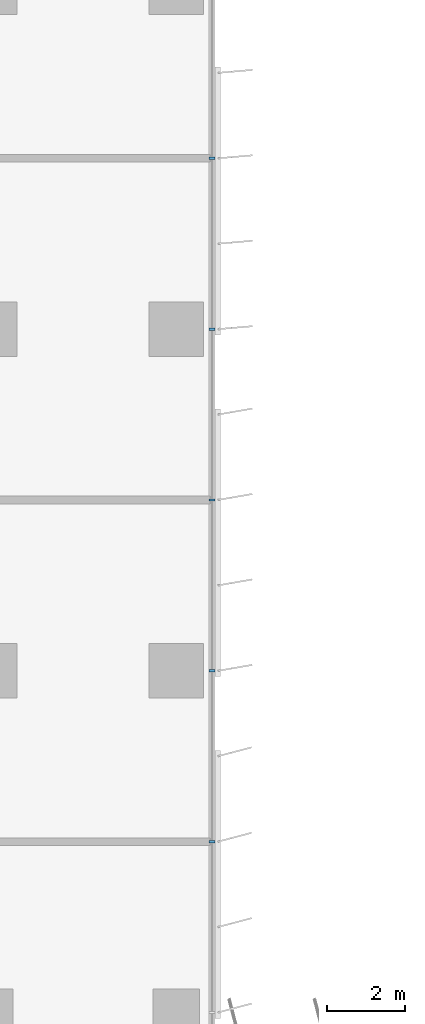
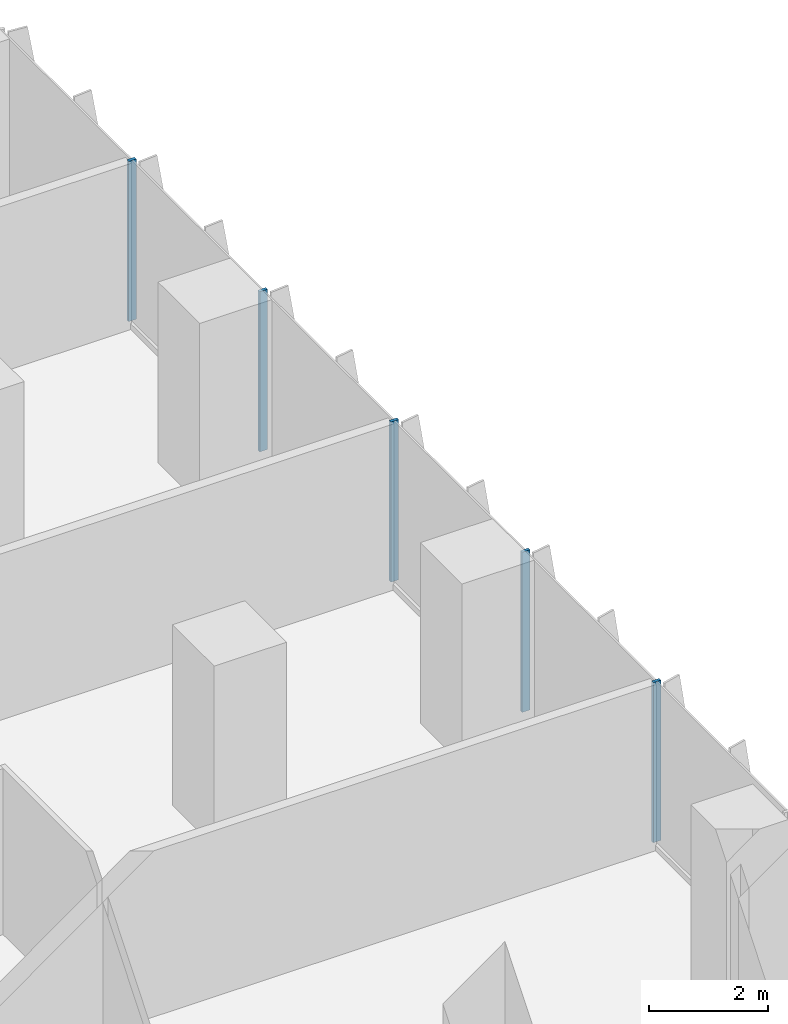
# One storey, part 5 of 24: 5 members, 1 element without a shape of its own.
"""IFC4 building model written with IfcOpenShell, lengths in metres."""

import ifcopenshell
import ifcopenshell.guid

model = None  # the IFC model being written
_history = None  # IfcOwnerHistory: only IFC2X3 demands one
_inside = {}  # id of a spatial element -> (the spatial element, [elements in it])
_under = {}  # id of a project, library or spatial element -> (it, [spatial elements below it])
_declared = {}  # id of a project -> (the project, [libraries it declares])
_typed = {}  # id of a type object -> (the type object, [elements of that type])
_made_of = {}  # id of a material, layer set ... -> (it, [elements and type objects made of it])


def new_model(schema):
    """Start an empty IFC model of exactly this schema.

    Asked for "IFC4X3", IfcOpenShell would pick the latest addendum, in which some entities
    have other attributes; the version numbers below select the first issue.
    IFC2X3 requires an IfcOwnerHistory on every rooted entity: one is made here for all.
    """
    global model, _history
    if schema == "IFC4X3":
        model = ifcopenshell.file(schema_version=(4, 3, 0, 0))
    else:
        model = ifcopenshell.file(schema=schema)
    _inside.clear()
    _under.clear()
    _declared.clear()
    _typed.clear()
    _made_of.clear()
    _history = None
    if model.schema == "IFC2X3":
        org = make("IfcOrganization", Name="unknown")
        user = make(
            "IfcPersonAndOrganization",
            ThePerson=make("IfcPerson", FamilyName="unknown"),
            TheOrganization=org,
        )
        app = make(
            "IfcApplication",
            ApplicationDeveloper=org,
            Version="unknown",
            ApplicationFullName="unknown",
            ApplicationIdentifier="unknown",
        )
        _history = make(
            "IfcOwnerHistory",
            OwningUser=user,
            OwningApplication=app,
            ChangeAction="ADDED",
            CreationDate=0,
        )
    return model


def make(cls, **values):
    """One entity of the class cls with the attributes given. An attribute that is None is left unset."""
    return model.create_entity(
        cls, **{name: value for name, value in values.items() if value is not None}
    )


def rooted(cls, **values):
    """An entity with a GlobalId (a new one), such as an element, a storey or a relation."""
    return make(cls, GlobalId=ifcopenshell.guid.new(), OwnerHistory=_history, **values)


def si_unit(unit_type, name, prefix=None):
    """IfcSIUnit, for example si_unit("LENGTHUNIT", "METRE", prefix="MILLI")."""
    return make("IfcSIUnit", UnitType=unit_type, Prefix=prefix, Name=name)


def assignment(units):
    """IfcUnitAssignment: the units of a project."""
    return None if units is None else make("IfcUnitAssignment", Units=units)


def point(xyz):
    """IfcCartesianPoint."""
    return None if xyz is None else make("IfcCartesianPoint", Coordinates=xyz)


def direction(xyz):
    """IfcDirection."""
    return None if xyz is None else make("IfcDirection", DirectionRatios=xyz)


def frame(location, z_axis=None, x_axis=None):
    """IfcAxis2Placement3D, a coordinate frame: its origin and axes. An axis left out is left unset."""
    return make(
        "IfcAxis2Placement3D",
        Location=point(location),
        Axis=direction(z_axis),
        RefDirection=direction(x_axis),
    )


def frame_2d(location, x_axis=None):
    """IfcAxis2Placement2D, a coordinate frame in the plane: its origin and x axis."""
    return make(
        "IfcAxis2Placement2D", Location=point(location), RefDirection=direction(x_axis)
    )


def origin():
    """The frame at (0, 0, 0) with its axes left unset."""
    return frame((0.0, 0.0, 0.0))


def origin_2d():
    """The frame at (0, 0) in the plane with its x axis left unset."""
    return frame_2d((0.0, 0.0))


def place(relative_to, where):
    """IfcLocalPlacement: puts the frame where relative to a parent placement (None: the world)."""
    return make(
        "IfcLocalPlacement", PlacementRelTo=relative_to, RelativePlacement=where
    )


def context(
    kind, dimensions, precision=None, world=None, true_north=None, identifier=None
):
    """IfcGeometricRepresentationContext, for example the 3D "Model" context."""
    return make(
        "IfcGeometricRepresentationContext",
        ContextIdentifier=identifier,
        ContextType=kind,
        CoordinateSpaceDimension=dimensions,
        Precision=precision,
        WorldCoordinateSystem=world,
        TrueNorth=true_north,
    )


def subcontext(parent, identifier, kind, view, scale=None):
    """IfcGeometricRepresentationSubContext, for example "Body" below "Model"."""
    return make(
        "IfcGeometricRepresentationSubContext",
        ContextIdentifier=identifier,
        ContextType=kind,
        ParentContext=parent,
        TargetScale=scale,
        TargetView=view,
    )


def project(units=None, contexts=None):
    """IfcProject with its units and contexts."""
    return rooted(
        "IfcProject",
        Name="project",
        RepresentationContexts=contexts,
        UnitsInContext=assignment(units),
    )


def spatial(cls, under=None, at=None, **own):
    """A site, building, storey or space (cls), placed at a placement, below another one or the project."""
    s = rooted(cls, ObjectPlacement=at, **own)
    if under is not None:
        _under.setdefault(under.id(), (under, []))[1].append(s)
    return s


def profile(cls, at=None, kind="AREA", **sizes):
    """A parametric profile (cls). Its sizes go by their IFC names, for example OverallWidth=200.0."""
    return make(cls, ProfileType=kind, Position=at, **sizes)


def rectangle(**sizes):
    """IfcRectangleProfileDef."""
    return profile("IfcRectangleProfileDef", **sizes)


def extrude(swept, where, along, depth):
    """IfcExtrudedAreaSolid: the profile swept, set in the frame where, extruded along a direction by depth."""
    return make(
        "IfcExtrudedAreaSolid",
        SweptArea=swept,
        Position=where,
        ExtrudedDirection=direction(along),
        Depth=depth,
    )


def shape(context_of_items, identifier, shape_type, items):
    """IfcShapeRepresentation: the items that make up one representation, for example the "Body"."""
    return make(
        "IfcShapeRepresentation",
        ContextOfItems=context_of_items,
        RepresentationIdentifier=identifier,
        RepresentationType=shape_type,
        Items=items,
    )


def source(mapping_origin, context_of_items, identifier, shape_type, items):
    """IfcRepresentationMap: a shape defined once, which mapped items show again and again."""
    return make(
        "IfcRepresentationMap",
        MappingOrigin=mapping_origin,
        MappedRepresentation=shape(context_of_items, identifier, shape_type, items),
    )


def transform(
    local_origin,
    x_axis=None,
    y_axis=None,
    z_axis=None,
    scale=None,
    scale2=None,
    scale3=None,
    uniform=True,
):
    """IfcCartesianTransformationOperator3D, or its non-uniform kind. x_axis, y_axis, z_axis: its Axis1, 2, 3."""
    if uniform:
        return make(
            "IfcCartesianTransformationOperator3D",
            Axis1=direction(x_axis),
            Axis2=direction(y_axis),
            LocalOrigin=point(local_origin),
            Scale=scale,
            Axis3=direction(z_axis),
        )
    return make(
        "IfcCartesianTransformationOperator3DnonUniform",
        Axis1=direction(x_axis),
        Axis2=direction(y_axis),
        LocalOrigin=point(local_origin),
        Scale=scale,
        Axis3=direction(z_axis),
        Scale2=scale2,
        Scale3=scale3,
    )


def mapped(mapping_source, mapping_target):
    """IfcMappedItem: shows the shape of a source again, moved by a transform."""
    return make(
        "IfcMappedItem", MappingSource=mapping_source, MappingTarget=mapping_target
    )


def material(Name=None, Category=None):
    """IfcMaterial."""
    return make("IfcMaterial", Name=Name, Category=Category)


def material_profile(
    of_material, cross_section, Name=None, Category=None, Priority=None
):
    """IfcMaterialProfile: a cross section and its material."""
    return make(
        "IfcMaterialProfile",
        Name=Name,
        Material=of_material,
        Profile=cross_section,
        Priority=Priority,
        Category=Category,
    )


def profile_set(profiles, Name=None, composite=None):
    """IfcMaterialProfileSet."""
    return make(
        "IfcMaterialProfileSet",
        Name=Name,
        MaterialProfiles=profiles,
        CompositeProfile=composite,
    )


def made_of(thing, what):
    """Note that an element or type object is made of a material, layer set ...; save() writes the relation."""
    if what is not None:
        _made_of.setdefault(what.id(), (what, []))[1].append(thing)
    return thing


def type_object(cls, material=None, **own):
    """A type object (cls), such as IfcWallType, which elements share."""
    return made_of(rooted(cls, **own), material)


def element(
    cls,
    number,
    at=None,
    inside=None,
    cuts=None,
    type_object=None,
    material=None,
    context=None,
    identifier="Body",
    shape_type=None,
    held_by="IfcProductDefinitionShape",
    body=None,
    shapes=None,
    **own,
):
    """One element of the class cls, such as IfcWall. Its Tag is "e" and its number.

    at: its placement. inside: the storey or other place that contains it. cuts: it is an
    opening in that element (IfcRelVoidsElement). A single representation is given by context,
    identifier, shape_type and body (its items); several are given by shapes. held_by: the class
    of the entity that holds the representations. save() writes the other relations.
    """
    e = rooted(cls, Tag="e%d" % number, ObjectPlacement=at, **own)
    if body is not None:
        shapes = [shape(context, identifier, shape_type, body)]
    if shapes is not None:
        e.Representation = make(held_by, Representations=shapes)
    if inside is not None:
        _inside.setdefault(inside.id(), (inside, []))[1].append(e)
    if cuts is not None:
        rooted(
            "IfcRelVoidsElement", RelatingBuildingElement=cuts, RelatedOpeningElement=e
        )
    if type_object is not None:
        _typed.setdefault(type_object.id(), (type_object, []))[1].append(e)
    return made_of(e, material)


def aggregate(whole, parts):
    """IfcRelAggregates: a whole, such as a stair, and the parts it consists of."""
    return rooted("IfcRelAggregates", RelatingObject=whole, RelatedObjects=parts)


def save(model, path):
    """Write the relations noted so far, then the file.

    IfcRelAggregates (storeys below a building ...), IfcRelContainedInSpatialStructure (elements
    in a storey), IfcRelDefinesByType, IfcRelAssociatesMaterial and IfcRelDeclares: one each for
    every whole, place, type object, material and project.
    """
    for whole, parts in _under.values():
        aggregate(whole, parts)
    for where, things in _inside.values():
        rooted(
            "IfcRelContainedInSpatialStructure",
            RelatedElements=things,
            RelatingStructure=where,
        )
    for kind, things in _typed.values():
        rooted("IfcRelDefinesByType", RelatedObjects=things, RelatingType=kind)
    for what, things in _made_of.values():
        rooted("IfcRelAssociatesMaterial", RelatedObjects=things, RelatingMaterial=what)
    for by, libraries in _declared.values():
        rooted("IfcRelDeclares", RelatingContext=by, RelatedDefinitions=libraries)
    model.write(path)


model = new_model("IFC4")

# Units and contexts
model_context = context("Model", 3, precision=1e-05, world=origin(), true_north=direction((0.0, 1.0)))
body_context = subcontext(model_context, "Body", "Model", "MODEL_VIEW")
ifc_project = project(units=[si_unit("LENGTHUNIT", "METRE"), si_unit("AREAUNIT", "SQUARE_METRE"), si_unit("VOLUMEUNIT", "CUBIC_METRE"), si_unit("PLANEANGLEUNIT", "RADIAN"), si_unit("MASSUNIT", "GRAM", prefix="KILO")], contexts=[model_context])

# Site, building, storey
site_placement = place(None, origin())
site = spatial("IfcSite", under=ifc_project, at=site_placement, CompositionType="ELEMENT")
building_placement = place(site_placement, origin())
building = spatial("IfcBuilding", under=site, at=building_placement, Name="Kemantara Hotel Tower", CompositionType="ELEMENT")
storey_placement = place(building_placement, frame((0.0, 0.0, 52.5)))
storey = spatial("IfcBuildingStorey", under=building, at=storey_placement, Name="L11", CompositionType="ELEMENT", Elevation=52.5)

# Curtain wall, members
ifc_material_1 = material(Name="Low-E tinted double insulated glass 36 mm", Category="glass")
curtain_wall_type = type_object("IfcCurtainWallType", Name="TOWER CURTAIN WALL, FRONT FACES", PredefinedType="USERDEFINED", material=ifc_material_1)
curtain_wall_placement = place(storey_placement, origin())
curtain_wall = element("IfcCurtainWall", 1, at=curtain_wall_placement, inside=storey, type_object=curtain_wall_type, Name="CW4 L11 T1-R08-1", ObjectType="TOWER CURTAIN WALL, FRONT FACES", PredefinedType="USERDEFINED")
ifc_material_2 = material(Name="Aluminium 6063-T6 bronze anodised", Category="aluminium")
ifc_material_profile = material_profile(ifc_material_2, rectangle(XDim=0.14990234375, YDim=0.06005859375, at=origin_2d()), Name="TOWER CURTAIN WALL, FRONT FACES MULLION")
ifc_profile_set = profile_set([ifc_material_profile], Name="Aluminium 6063-T6 bronze anodised")
member_type = type_object("IfcMemberType", Name="TOWER CURTAIN WALL, FRONT FACES MULLION", PredefinedType="MULLION", material=ifc_profile_set)
shared_shape = source(origin(), body_context, "Body", "SweptSolid", [
    extrude(rectangle(XDim=0.14990234375, YDim=0.06005859375, at=origin_2d()), origin(), (0.0, 0.0, 1.0), 3.27978515625),
])
member_1_placement = place(storey_placement, frame((26.72509765625, 31.800048828125, 0.1201171875), z_axis=(0.0, 0.0, 1.0), x_axis=(-1.0, 0.0, 0.0)))
member_1 = element("IfcMember", 2, at=member_1_placement, type_object=member_type, Name="CW4 mullion T1-R08-1.3", PredefinedType="MULLION", context=body_context, shape_type="MappedRepresentation", body=[
    mapped(shared_shape, transform((0.0, 0.0, 0.0))),
])
member_2_placement = place(storey_placement, frame((26.72509765625, 36.199951171875, 0.1201171875), z_axis=(0.0, 0.0, 1.0), x_axis=(-1.0, 0.0, 0.0)))
member_2 = element("IfcMember", 3, at=member_2_placement, type_object=member_type, Name="CW4 mullion T1-R08-1.4", PredefinedType="MULLION", context=body_context, shape_type="MappedRepresentation", body=[
    mapped(shared_shape, transform((0.0, 0.0, 0.0))),
])
member_3_placement = place(storey_placement, frame((26.72509765625, 40.60009765625, 0.1201171875), z_axis=(0.0, 0.0, 1.0), x_axis=(-1.0, 0.0, 0.0)))
member_3 = element("IfcMember", 4, at=member_3_placement, type_object=member_type, Name="CW4 mullion T1-R08-1.5", PredefinedType="MULLION", context=body_context, shape_type="MappedRepresentation", body=[
    mapped(shared_shape, transform((0.0, 0.0, 0.0))),
])
member_4_placement = place(storey_placement, frame((26.72509765625, 45.0, 0.1201171875), z_axis=(0.0, 0.0, 1.0), x_axis=(-1.0, 0.0, 0.0)))
member_4 = element("IfcMember", 5, at=member_4_placement, type_object=member_type, Name="CW4 mullion T1-R08-1.6", PredefinedType="MULLION", context=body_context, shape_type="MappedRepresentation", body=[
    mapped(shared_shape, transform((0.0, 0.0, 0.0))),
])
member_5_placement = place(storey_placement, frame((26.72509765625, 49.39990234375, 0.1201171875), z_axis=(0.0, 0.0, 1.0), x_axis=(-1.0, 0.0, 0.0)))
member_5 = element("IfcMember", 6, at=member_5_placement, type_object=member_type, Name="CW4 mullion T1-R08-1.7", PredefinedType="MULLION", context=body_context, shape_type="MappedRepresentation", body=[
    mapped(shared_shape, transform((0.0, 0.0, 0.0))),
])
aggregate(curtain_wall, [member_1, member_2, member_3, member_4, member_5])

save(model, "model.ifc")
